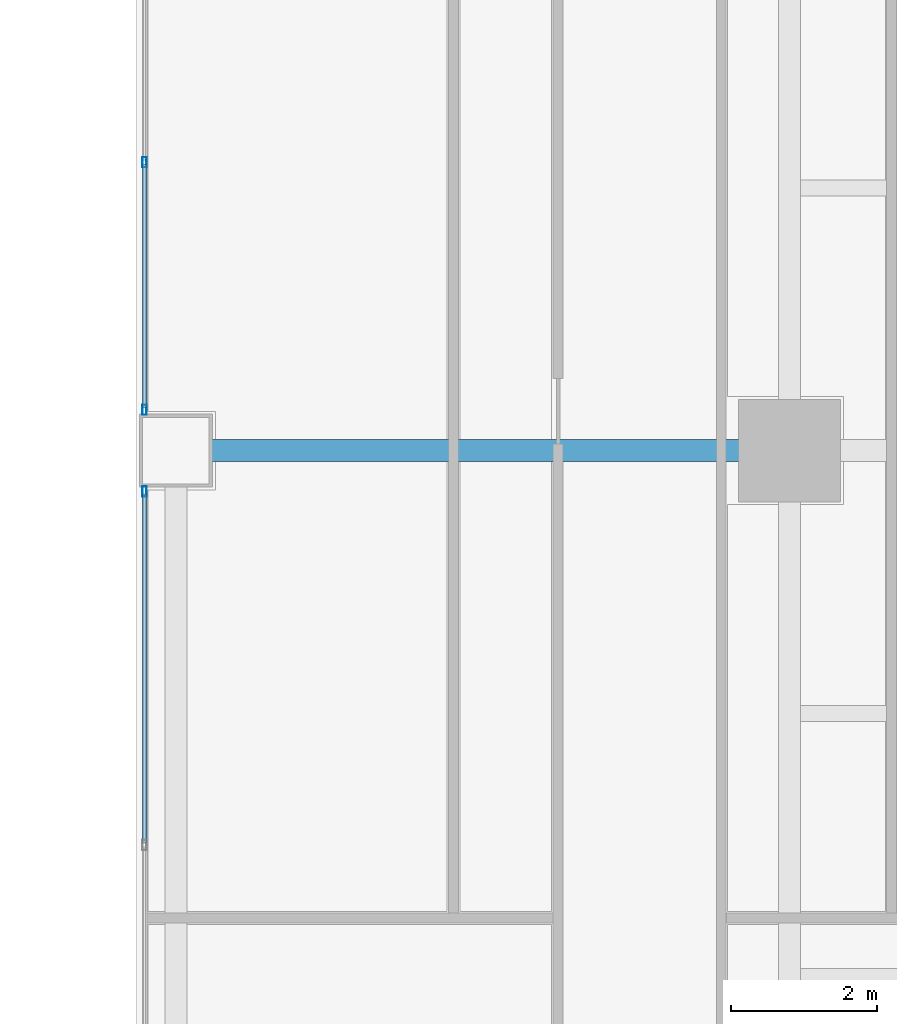
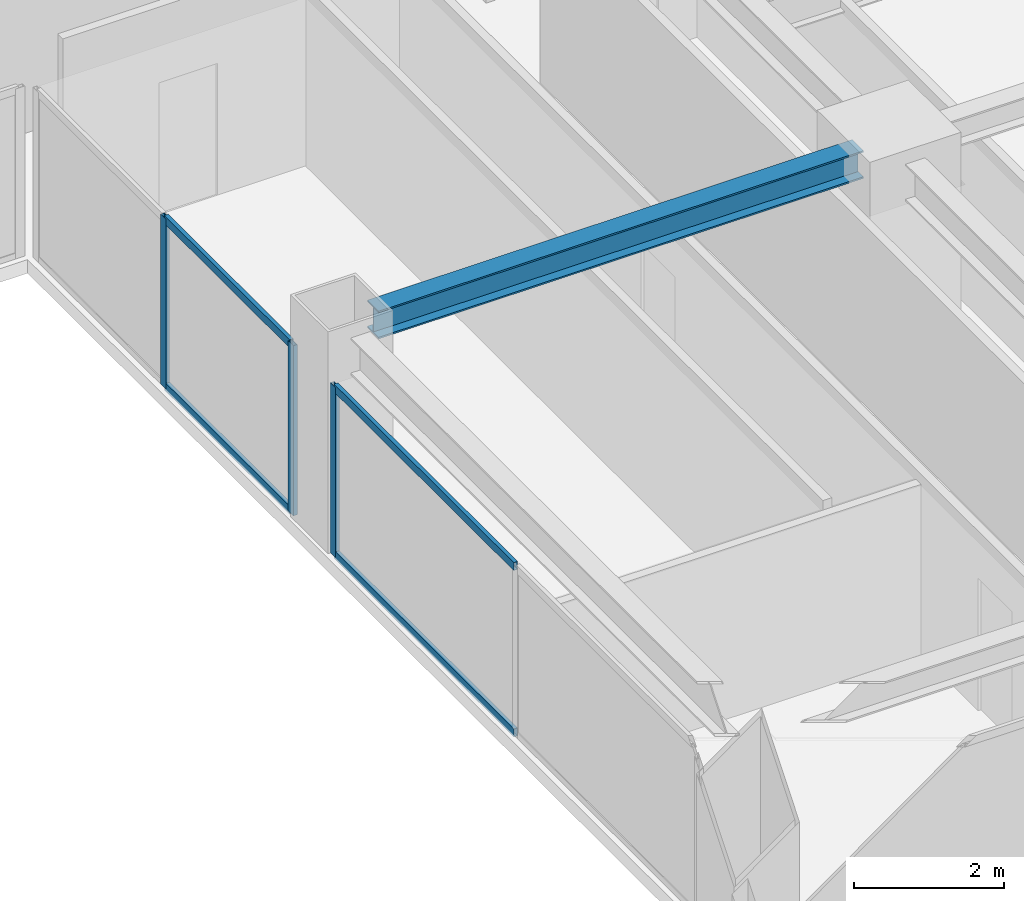
# One storey, part 14 of 30: 7 members, 1 beam, 2 elements without a shape of their own.
"""IFC4 building model written with IfcOpenShell, lengths in metres."""

from ifc_helpers import new_model, si_unit, direction, frame, origin, origin_2d, place, context, subcontext, project, spatial, hollow_rectangle, i_section, extrude, source, transform, mapped, material, layer, layer_set, material_profile, profile_set, type_object, element, aggregate, save


model = new_model("IFC4")

# Units and contexts
model_context = context("Model", 3, precision=1e-05, world=origin(), true_north=direction((0.0, 1.0)))
body_context = subcontext(model_context, "Body", "Model", "MODEL_VIEW")
ifc_project = project(units=[si_unit("LENGTHUNIT", "METRE"), si_unit("AREAUNIT", "SQUARE_METRE"), si_unit("VOLUMEUNIT", "CUBIC_METRE"), si_unit("PLANEANGLEUNIT", "RADIAN"), si_unit("MASSUNIT", "GRAM", prefix="KILO")], contexts=[model_context])

# Site, building, storey
site_placement = place(None, origin())
site = spatial("IfcSite", under=ifc_project, at=site_placement, CompositionType="ELEMENT")
building_placement = place(site_placement, origin())
building = spatial("IfcBuilding", under=site, at=building_placement, Name="Sumidabori Civic Tower", CompositionType="ELEMENT")
storey_placement = place(building_placement, frame((0.0, 0.0, 200.0)))
storey = spatial("IfcBuildingStorey", under=building, at=storey_placement, Name="L51", CompositionType="ELEMENT", Elevation=200.0)

# Beam
ifc_material_1 = material(Name="Steel SN490", Category="steel")
ifc_material_profile_1 = material_profile(ifc_material_1, i_section(OverallWidth=0.300048828125, OverallDepth=0.449951171875, WebThickness=0.013916015625, FlangeThickness=0.02587890625, at=origin_2d()), Name="HE 450 B")
ifc_profile_set_1 = profile_set([ifc_material_profile_1], Name="Steel SN490")
beam_type = type_object("IfcBeamType", Name="BM-GIRD-450", PredefinedType="BEAM", material=ifc_profile_set_1)
shared_shape_1 = source(origin(), body_context, "Body", "SweptSolid", [
    extrude(i_section(OverallWidth=0.300048828125, OverallDepth=0.449951171875, WebThickness=0.013916015625, FlangeThickness=0.02587890625, at=origin_2d()), origin(), (0.0, 0.0, 1.0), 7.440185546875),
])
beam_placement = place(storey_placement, frame((8.8798828125, 0.0, 3.155029296875), z_axis=(1.0, 0.0, 0.0), x_axis=(0.0, 1.0, 0.0)))
element("IfcBeam", 1, at=beam_placement, inside=storey, type_object=beam_type, Name="Primary Girder L51 GX-07", PredefinedType="BEAM", context=body_context, shape_type="MappedRepresentation", body=[
    mapped(shared_shape_1, transform((0.0, 0.0, 0.0), x_axis=(1.0, 0.0, 0.0), y_axis=(0.0, 1.0, 0.0), z_axis=(0.0, 0.0, 1.0), scale=1.0)),
])

# Curtain wall, members
ifc_material_2 = material(Name="Anodised Bronze Aluminium AW-6063-T6", Category="aluminium")
ifc_layer = layer(ifc_material_2, 0.179931640625, Name="Anodised Bronze Aluminium AW-6063-T6")
ifc_layer_set = layer_set([ifc_layer], Name="Anodised Bronze Aluminium AW-6063-T6")
curtain_wall_type = type_object("IfcCurtainWallType", Name="CW-SYS-4", PredefinedType="NOTDEFINED", material=ifc_layer_set)
curtain_wall_1_placement = place(storey_placement, origin())
curtain_wall_1 = element("IfcCurtainWall", 2, at=curtain_wall_1_placement, inside=storey, type_object=curtain_wall_type, Name="Curtain Wall CW:L51:R06", PredefinedType="NOTDEFINED")
ifc_material_profile_2 = material_profile(ifc_material_2, hollow_rectangle(XDim=0.06005859375, YDim=0.139892578125, WallThickness=0.0048828125, at=origin_2d()), Name="ALU MULLION 140x60")
ifc_profile_set_2 = profile_set([ifc_material_profile_2], Name="Anodised Bronze Aluminium AW-6063-T6")
member_type_1 = type_object("IfcMemberType", Name="CW-MUL-140", PredefinedType="MULLION", material=ifc_profile_set_2)
shared_shape_2 = source(origin(), body_context, "Body", "SweptSolid", [
    extrude(hollow_rectangle(XDim=0.06005859375, YDim=0.139892578125, WallThickness=0.0048828125, at=origin_2d()), origin(), (0.0, 0.0, 1.0), 2.760009765625),
])
member_1_placement = place(storey_placement, frame((7.969970703125, 3.949951171875, 0.0), z_axis=(0.0, 0.0, 1.0), x_axis=(1.0, 0.0, 0.0)))
member_1 = element("IfcMember", 3, at=member_1_placement, type_object=member_type_1, Name="CW-4 mullion 2", PredefinedType="MULLION", context=body_context, shape_type="MappedRepresentation", body=[
    mapped(shared_shape_2, transform((0.0, 0.0, 0.0), x_axis=(1.0, 0.0, 0.0), y_axis=(0.0, 1.0, 0.0), z_axis=(0.0, 0.0, 1.0), scale=1.0)),
])
member_2_placement = place(storey_placement, frame((7.969970703125, 0.56005859375, 0.0), z_axis=(0.0, 0.0, 1.0), x_axis=(1.0, 0.0, 0.0)))
member_2 = element("IfcMember", 4, at=member_2_placement, type_object=member_type_1, Name="CW-4 mullion 3", PredefinedType="MULLION", context=body_context, shape_type="MappedRepresentation", body=[
    mapped(shared_shape_2, transform((0.0, 0.0, 0.0), x_axis=(1.0, 0.0, 0.0), y_axis=(0.0, 1.0, 0.0), z_axis=(0.0, 0.0, 1.0), scale=1.0)),
])

curtain_wall_2_placement = place(storey_placement, origin())
curtain_wall_2 = element("IfcCurtainWall", 5, at=curtain_wall_2_placement, inside=storey, type_object=curtain_wall_type, Name="Curtain Wall CW:L51:R07", PredefinedType="NOTDEFINED")
member_3_placement = place(storey_placement, frame((7.969970703125, -0.56005859375, 0.0), z_axis=(0.0, 0.0, 1.0), x_axis=(1.0, 0.0, 0.0)))
member_3 = element("IfcMember", 6, at=member_3_placement, type_object=member_type_1, Name="CW-4 mullion 1", PredefinedType="MULLION", context=body_context, shape_type="MappedRepresentation", body=[
    mapped(shared_shape_2, transform((0.0, 0.0, 0.0), x_axis=(1.0, 0.0, 0.0), y_axis=(0.0, 1.0, 0.0), z_axis=(0.0, 0.0, 1.0), scale=1.0)),
])
ifc_material_profile_3 = material_profile(ifc_material_2, hollow_rectangle(XDim=0.06005859375, YDim=0.1298828125, WallThickness=0.0048828125, at=origin_2d()), Name="ALU TRANSOM 130x60")
ifc_profile_set_3 = profile_set([ifc_material_profile_3], Name="Anodised Bronze Aluminium AW-6063-T6")
member_type_2 = type_object("IfcMemberType", Name="CW-TRN-130", PredefinedType="USERDEFINED", material=ifc_profile_set_3)
shared_shape_3 = source(origin(), body_context, "Body", "SweptSolid", [
    extrude(hollow_rectangle(XDim=0.06005859375, YDim=0.1298828125, WallThickness=0.0048828125, at=origin_2d()), origin(), (0.0, 0.0, 1.0), 4.780029296875),
])
member_4_placement = place(storey_placement, frame((7.969970703125, -0.590087890625, 0.030029296875), z_axis=(0.0, -1.0, 0.0), x_axis=(1.0, 0.0, 0.0)))
member_4 = element("IfcMember", 7, at=member_4_placement, type_object=member_type_2, Name="CW-4 transom 1.1", ObjectType="TRANSOM", PredefinedType="USERDEFINED", context=body_context, shape_type="MappedRepresentation", body=[
    mapped(shared_shape_3, transform((0.0, 0.0, 0.0), x_axis=(1.0, 0.0, 0.0), y_axis=(0.0, 1.0, 0.0), z_axis=(0.0, 0.0, 1.0), scale=1.0)),
])
member_5_placement = place(storey_placement, frame((7.969970703125, -0.590087890625, 2.72998046875), z_axis=(0.0, -1.0, 0.0), x_axis=(1.0, 0.0, 0.0)))
member_5 = element("IfcMember", 8, at=member_5_placement, type_object=member_type_2, Name="CW-4 transom 1.2", ObjectType="TRANSOM", PredefinedType="USERDEFINED", context=body_context, shape_type="MappedRepresentation", body=[
    mapped(shared_shape_3, transform((0.0, 0.0, 0.0), x_axis=(1.0, 0.0, 0.0), y_axis=(0.0, 1.0, 0.0), z_axis=(0.0, 0.0, 1.0), scale=1.0)),
])
aggregate(curtain_wall_2, [member_3, member_4, member_5])

# Member
shared_shape_4 = source(origin(), body_context, "Body", "SweptSolid", [
    extrude(hollow_rectangle(XDim=0.06005859375, YDim=0.1298828125, WallThickness=0.0048828125, at=origin_2d()), origin(), (0.0, 0.0, 1.0), 3.329833984375),
])
member_6_placement = place(storey_placement, frame((7.969970703125, 3.919921875, 0.030029296875), z_axis=(0.0, -1.0, 0.0), x_axis=(1.0, 0.0, 0.0)))
member_6 = element("IfcMember", 9, at=member_6_placement, type_object=member_type_2, Name="CW-4 transom 2.1", ObjectType="TRANSOM", PredefinedType="USERDEFINED", context=body_context, shape_type="MappedRepresentation", body=[
    mapped(shared_shape_4, transform((0.0, 0.0, 0.0), x_axis=(1.0, 0.0, 0.0), y_axis=(0.0, 1.0, 0.0), z_axis=(0.0, 0.0, 1.0), scale=1.0)),
])

member_7_placement = place(storey_placement, frame((7.969970703125, 3.919921875, 2.72998046875), z_axis=(0.0, -1.0, 0.0), x_axis=(1.0, 0.0, 0.0)))
member_7 = element("IfcMember", 10, at=member_7_placement, type_object=member_type_2, Name="CW-4 transom 2.2", ObjectType="TRANSOM", PredefinedType="USERDEFINED", context=body_context, shape_type="MappedRepresentation", body=[
    mapped(shared_shape_4, transform((0.0, 0.0, 0.0), x_axis=(1.0, 0.0, 0.0), y_axis=(0.0, 1.0, 0.0), z_axis=(0.0, 0.0, 1.0), scale=1.0)),
])

aggregate(curtain_wall_1, [member_1, member_2, member_6, member_7])

save(model, "model.ifc")
